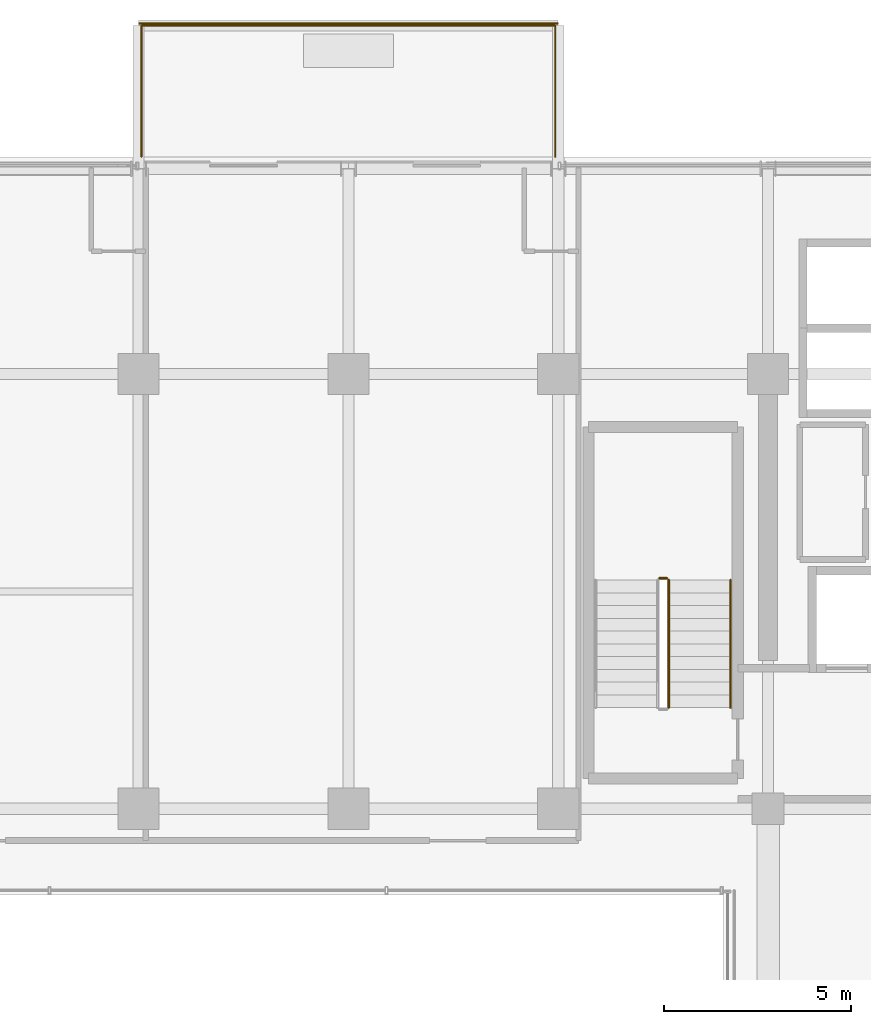
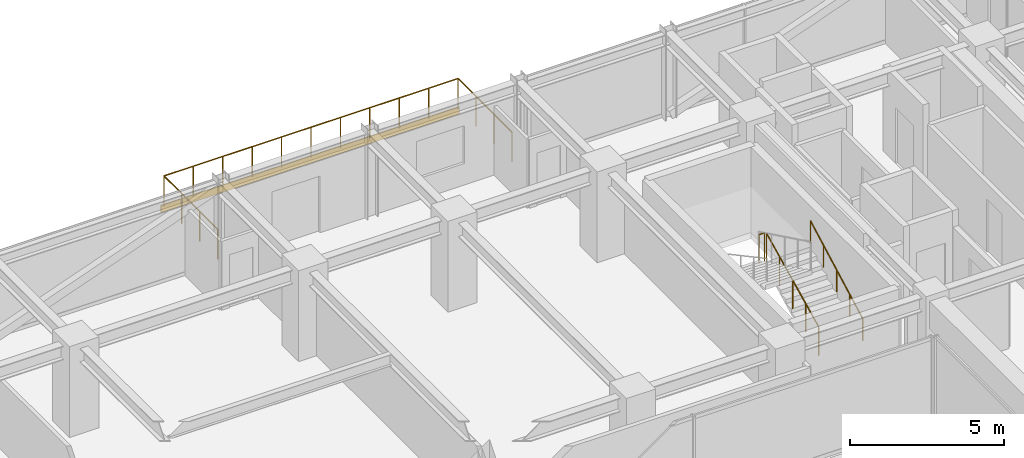
# One storey, part 42 of 43: 4 railings, 1 covering.
"""IFC4 building model written with IfcOpenShell, lengths in metres."""

from ifc_helpers import new_model, si_unit, direction, frame, origin, origin_2d, place, context, subcontext, project, spatial, rectangle, circle, extrude, source, transform, mapped, material, layer, layer_set, type_object, element, save


model = new_model("IFC4")

# Units and contexts
model_context = context("Model", 3, precision=1e-05, world=origin(), true_north=direction((0.0, 1.0)))
body_context = subcontext(model_context, "Body", "Model", "MODEL_VIEW")
ifc_project = project(units=[si_unit("LENGTHUNIT", "METRE"), si_unit("AREAUNIT", "SQUARE_METRE"), si_unit("VOLUMEUNIT", "CUBIC_METRE"), si_unit("PLANEANGLEUNIT", "RADIAN"), si_unit("MASSUNIT", "GRAM", prefix="KILO")], contexts=[model_context])

# Site, building, storey
site_placement = place(None, origin())
site = spatial("IfcSite", under=ifc_project, at=site_placement, CompositionType="ELEMENT")
building_placement = place(site_placement, origin())
building = spatial("IfcBuilding", under=site, at=building_placement, Name="Nahalor Promenade Grand Hotel", CompositionType="ELEMENT")
storey_placement = place(building_placement, frame((0.0, 0.0, 181.85009765625)))
storey = spatial("IfcBuildingStorey", under=building, at=storey_placement, Name="L46", CompositionType="ELEMENT", Elevation=181.85009765625)

# Railings
ifc_material_1 = material(Name="Anodised Bronze Aluminium EN AW-6063 T6", Category="aluminium")
railing_type_1 = type_object("IfcRailingType", Name="Bronze Balcony Guardrail 1200 mm", PredefinedType="GUARDRAIL", material=ifc_material_1)
railing_1_placement = place(storey_placement, frame((-8.320068359375, 22.800048828125, 0.0)))
element("IfcRailing", 1, at=railing_1_placement, inside=storey, type_object=railing_type_1, Name="L46 Balcony Guardrail 1", PredefinedType="GUARDRAIL", context=body_context, shape_type="SweptSolid", body=[
    extrude(circle(Radius=0.024048, at=origin_2d()), frame((0.0, 0.0, 1.17578125), z_axis=(0.0, 1.0, 0.0), x_axis=(-1.0, 0.0, 0.0)), (0.0, 0.0, 1.0), 3.498046875),
    extrude(circle(Radius=0.024048, at=origin_2d()), frame((0.001953125, 3.5, 1.17578125), z_axis=(1.0, 0.0, 0.0), x_axis=(0.0, 1.0, 0.0)), (0.0, 0.0, 1.0), 11.0361328125),
    extrude(circle(Radius=0.024048, at=origin_2d()), frame((11.0400390625, 3.498046875, 1.17578125), z_axis=(0.0, -1.0, 0.0), x_axis=(1.0, 0.0, 0.0)), (0.0, 0.0, 1.0), 3.498046875),
    extrude(circle(Radius=0.020996, at=origin_2d()), origin(), (0.0, 0.0, 1.0), 1.14990234375),
    extrude(circle(Radius=0.020996, at=origin_2d()), frame((0.0, 1.166748046875, 0.0)), (0.0, 0.0, 1.0), 1.14990234375),
    extrude(circle(Radius=0.020996, at=origin_2d()), frame((0.0, 2.333251953125, 0.0)), (0.0, 0.0, 1.0), 1.14990234375),
    extrude(circle(Radius=0.020996, at=origin_2d()), frame((0.0, 3.5, 0.0)), (0.0, 0.0, 1.0), 1.14990234375),
    extrude(circle(Radius=0.020996, at=origin_2d()), frame((1.10400390625, 3.5, 0.0)), (0.0, 0.0, 1.0), 1.14990234375),
    extrude(circle(Radius=0.020996, at=origin_2d()), frame((2.2080078125, 3.5, 0.0)), (0.0, 0.0, 1.0), 1.14990234375),
    extrude(circle(Radius=0.020996, at=origin_2d()), frame((3.31201171875, 3.5, 0.0)), (0.0, 0.0, 1.0), 1.14990234375),
    extrude(circle(Radius=0.020996, at=origin_2d()), frame((4.416015625, 3.5, 0.0)), (0.0, 0.0, 1.0), 1.14990234375),
    extrude(circle(Radius=0.020996, at=origin_2d()), frame((5.52001953125, 3.5, 0.0)), (0.0, 0.0, 1.0), 1.14990234375),
    extrude(circle(Radius=0.020996, at=origin_2d()), frame((6.6240234375, 3.5, 0.0)), (0.0, 0.0, 1.0), 1.14990234375),
    extrude(circle(Radius=0.020996, at=origin_2d()), frame((7.72802734375, 3.5, 0.0)), (0.0, 0.0, 1.0), 1.14990234375),
    extrude(circle(Radius=0.020996, at=origin_2d()), frame((8.83203125, 3.5, 0.0)), (0.0, 0.0, 1.0), 1.14990234375),
    extrude(circle(Radius=0.020996, at=origin_2d()), frame((9.93603515625, 3.5, 0.0)), (0.0, 0.0, 1.0), 1.14990234375),
    extrude(circle(Radius=0.020996, at=origin_2d()), frame((11.0400390625, 3.5, 0.0)), (0.0, 0.0, 1.0), 1.14990234375),
    extrude(circle(Radius=0.020996, at=origin_2d()), frame((11.0400390625, 2.333251953125, 0.0)), (0.0, 0.0, 1.0), 1.14990234375),
    extrude(circle(Radius=0.020996, at=origin_2d()), frame((11.0400390625, 1.166748046875, 0.0)), (0.0, 0.0, 1.0), 1.14990234375),
    extrude(circle(Radius=0.020996, at=origin_2d()), frame((11.0400390625, 0.0, 0.0)), (0.0, 0.0, 1.0), 1.14990234375),
])
ifc_material_2 = material(Name="Steel S355JR", Category="steel")
railing_type_2 = type_object("IfcRailingType", Name="Steel Stair Guardrail 1150 mm", PredefinedType="GUARDRAIL", material=ifc_material_2)
railing_2_placement = place(storey_placement, frame((5.75, 8.10009765625, 0.165771484375)))
element("IfcRailing", 2, at=railing_2_placement, inside=storey, type_object=railing_type_2, Name="L46 ST1 stair guard 1", PredefinedType="GUARDRAIL", context=body_context, shape_type="SweptSolid", body=[
    extrude(circle(Radius=0.024048, at=origin_2d()), frame((0.0, 0.0, 1.1259765625), z_axis=(0.0, 0.898696488221, 0.438571114028), x_axis=(-1.0, 0.0, 0.0)), (0.0, 0.0, 1.0), 3.783203125),
    extrude(circle(Radius=0.020996, at=origin_2d()), origin(), (0.0, 0.0, 1.0), 1.099853515625),
    extrude(circle(Radius=0.020996, at=origin_2d()), frame((0.0, 0.85009765625, 0.414794921875)), (0.0, 0.0, 1.0), 1.099853515625),
    extrude(circle(Radius=0.020996, at=origin_2d()), frame((0.0, 1.699951171875, 0.82958984375)), (0.0, 0.0, 1.0), 1.099853515625),
    extrude(circle(Radius=0.020996, at=origin_2d()), frame((0.0, 2.5498046875, 1.244384765625)), (0.0, 0.0, 1.0), 1.099853515625),
    extrude(circle(Radius=0.020996, at=origin_2d()), frame((0.0, 3.39990234375, 1.6591796875)), (0.0, 0.0, 1.0), 1.099853515625),
])
railing_3_placement = place(storey_placement, frame((5.699951171875, 11.550048828125, 1.824951171875)))
element("IfcRailing", 3, at=railing_3_placement, inside=storey, type_object=railing_type_2, Name="L46 ST1 stair guard 2", PredefinedType="GUARDRAIL", context=body_context, shape_type="SweptSolid", body=[
    extrude(circle(Radius=0.024048, at=origin_2d()), frame((0.0, 0.0, 1.1259765625), z_axis=(-1.0, 0.0, 0.0), x_axis=(0.0, -1.0, 0.0)), (0.0, 0.0, 1.0), 0.199951171875),
    extrude(circle(Radius=0.020996, at=origin_2d()), origin(), (0.0, 0.0, 1.0), 1.099853515625),
    extrude(circle(Radius=0.020996, at=origin_2d()), frame((-0.199951171875, 0.0, 0.0)), (0.0, 0.0, 1.0), 1.099853515625),
])
railing_type_3 = type_object("IfcRailingType", Name="Steel Stair Handrail 900 mm", PredefinedType="HANDRAIL", material=ifc_material_2)
railing_4_placement = place(storey_placement, frame((7.39990234375, 8.10009765625, 0.165771484375)))
element("IfcRailing", 4, at=railing_4_placement, inside=storey, type_object=railing_type_3, Name="L46 ST1 stair handrail 1", PredefinedType="HANDRAIL", context=body_context, shape_type="SweptSolid", body=[
    extrude(circle(Radius=0.024048, at=origin_2d()), frame((0.0, 0.0, 0.8759765625), z_axis=(0.0, 0.881094038095, 0.47294111265), x_axis=(-1.0, 0.0, 0.0)), (0.0, 0.0, 1.0), 3.858642578125),
    extrude(circle(Radius=0.020996, at=origin_2d()), origin(), (0.0, 0.0, 1.0), 0.849853515625),
    extrude(circle(Radius=0.020996, at=origin_2d()), frame((0.0, 0.85009765625, 0.456298828125)), (0.0, 0.0, 1.0), 0.849853515625),
    extrude(circle(Radius=0.020996, at=origin_2d()), frame((0.0, 1.699951171875, 0.91259765625)), (0.0, 0.0, 1.0), 0.849853515625),
    extrude(circle(Radius=0.020996, at=origin_2d()), frame((0.0, 2.5498046875, 1.36865234375)), (0.0, 0.0, 1.0), 0.849853515625),
    extrude(circle(Radius=0.020996, at=origin_2d()), frame((0.0, 3.39990234375, 1.824951171875)), (0.0, 0.0, 1.0), 0.849853515625),
])

# Covering
ifc_layer = layer(ifc_material_1, 0.0400390625)
ifc_layer_set = layer_set([ifc_layer], Name="Anodised Bronze Aluminium EN AW-6063 T6")
covering_type = type_object("IfcCoveringType", Name="Bronze Spandrel Cladding Panel", PredefinedType="CLADDING", material=ifc_layer_set)
shared_shape = source(origin(), body_context, "Body", "SweptSolid", [
    extrude(rectangle(XDim=11.199951171875, YDim=0.0400390625, at=origin_2d()), origin(), (0.0, 0.0, 1.0), 0.280029296875),
])
covering_placement = place(storey_placement, frame((-2.800048828125, 26.360107421875, -0.2802734375), z_axis=(0.0, 0.0, 1.0), x_axis=(1.0, 0.0, 0.0)))
element("IfcCovering", 5, at=covering_placement, inside=storey, type_object=covering_type, Name="CL-L46-BALC-01", PredefinedType="CLADDING", context=body_context, shape_type="MappedRepresentation", body=[
    mapped(shared_shape, transform((0.0, 0.0, 0.0), scale=1.0)),
])

save(model, "model.ifc")
